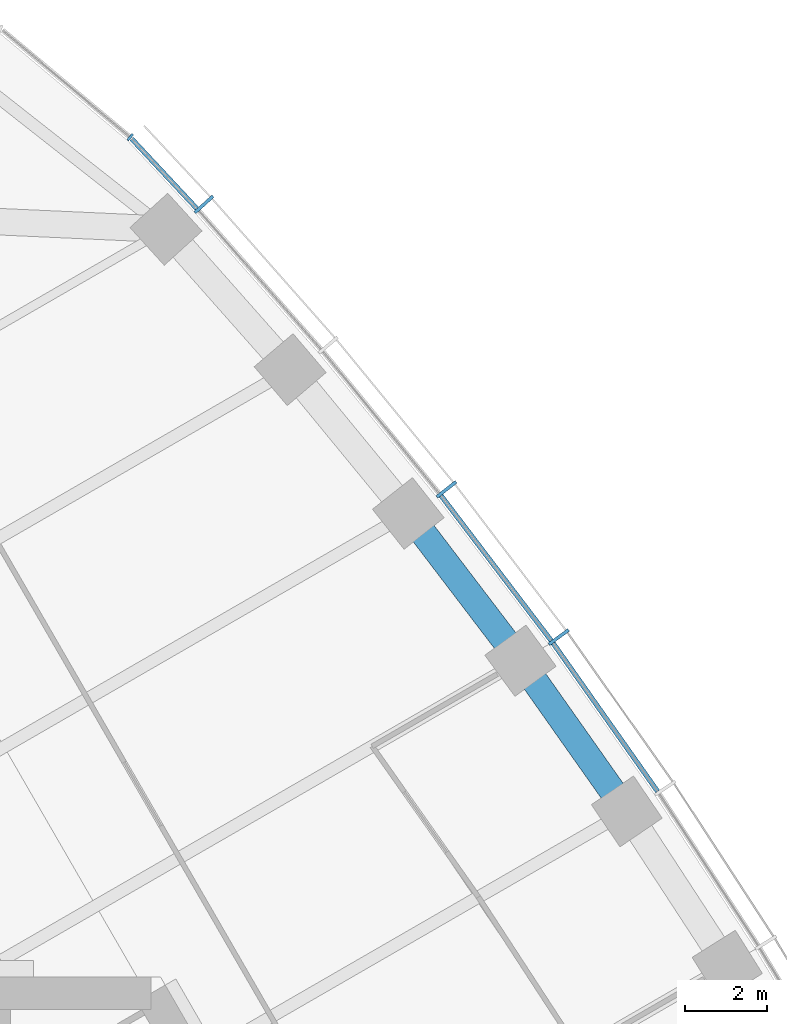
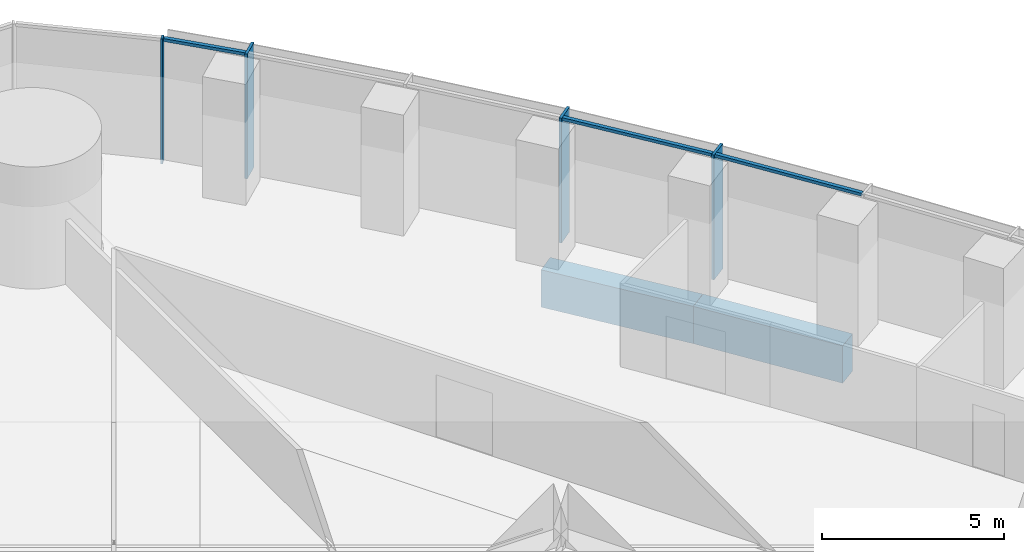
# One storey, part 7 of 21: 7 members, 2 beams, 2 elements without a shape of their own.
"""IFC4 building model written with IfcOpenShell, lengths in metres."""

import ifcopenshell
import ifcopenshell.guid

model = None  # the IFC model being written
_history = None  # IfcOwnerHistory: only IFC2X3 demands one
_inside = {}  # id of a spatial element -> (the spatial element, [elements in it])
_under = {}  # id of a project, library or spatial element -> (it, [spatial elements below it])
_declared = {}  # id of a project -> (the project, [libraries it declares])
_typed = {}  # id of a type object -> (the type object, [elements of that type])
_made_of = {}  # id of a material, layer set ... -> (it, [elements and type objects made of it])


def new_model(schema):
    """Start an empty IFC model of exactly this schema.

    Asked for "IFC4X3", IfcOpenShell would pick the latest addendum, in which some entities
    have other attributes; the version numbers below select the first issue.
    IFC2X3 requires an IfcOwnerHistory on every rooted entity: one is made here for all.
    """
    global model, _history
    if schema == "IFC4X3":
        model = ifcopenshell.file(schema_version=(4, 3, 0, 0))
    else:
        model = ifcopenshell.file(schema=schema)
    _inside.clear()
    _under.clear()
    _declared.clear()
    _typed.clear()
    _made_of.clear()
    _history = None
    if model.schema == "IFC2X3":
        org = make("IfcOrganization", Name="unknown")
        user = make(
            "IfcPersonAndOrganization",
            ThePerson=make("IfcPerson", FamilyName="unknown"),
            TheOrganization=org,
        )
        app = make(
            "IfcApplication",
            ApplicationDeveloper=org,
            Version="unknown",
            ApplicationFullName="unknown",
            ApplicationIdentifier="unknown",
        )
        _history = make(
            "IfcOwnerHistory",
            OwningUser=user,
            OwningApplication=app,
            ChangeAction="ADDED",
            CreationDate=0,
        )
    return model


def make(cls, **values):
    """One entity of the class cls with the attributes given. An attribute that is None is left unset."""
    return model.create_entity(
        cls, **{name: value for name, value in values.items() if value is not None}
    )


def rooted(cls, **values):
    """An entity with a GlobalId (a new one), such as an element, a storey or a relation."""
    return make(cls, GlobalId=ifcopenshell.guid.new(), OwnerHistory=_history, **values)


def si_unit(unit_type, name, prefix=None):
    """IfcSIUnit, for example si_unit("LENGTHUNIT", "METRE", prefix="MILLI")."""
    return make("IfcSIUnit", UnitType=unit_type, Prefix=prefix, Name=name)


def assignment(units):
    """IfcUnitAssignment: the units of a project."""
    return None if units is None else make("IfcUnitAssignment", Units=units)


def point(xyz):
    """IfcCartesianPoint."""
    return None if xyz is None else make("IfcCartesianPoint", Coordinates=xyz)


def direction(xyz):
    """IfcDirection."""
    return None if xyz is None else make("IfcDirection", DirectionRatios=xyz)


def frame(location, z_axis=None, x_axis=None):
    """IfcAxis2Placement3D, a coordinate frame: its origin and axes. An axis left out is left unset."""
    return make(
        "IfcAxis2Placement3D",
        Location=point(location),
        Axis=direction(z_axis),
        RefDirection=direction(x_axis),
    )


def frame_2d(location, x_axis=None):
    """IfcAxis2Placement2D, a coordinate frame in the plane: its origin and x axis."""
    return make(
        "IfcAxis2Placement2D", Location=point(location), RefDirection=direction(x_axis)
    )


def origin():
    """The frame at (0, 0, 0) with its axes left unset."""
    return frame((0.0, 0.0, 0.0))


def origin_2d():
    """The frame at (0, 0) in the plane with its x axis left unset."""
    return frame_2d((0.0, 0.0))


def place(relative_to, where):
    """IfcLocalPlacement: puts the frame where relative to a parent placement (None: the world)."""
    return make(
        "IfcLocalPlacement", PlacementRelTo=relative_to, RelativePlacement=where
    )


def context(
    kind, dimensions, precision=None, world=None, true_north=None, identifier=None
):
    """IfcGeometricRepresentationContext, for example the 3D "Model" context."""
    return make(
        "IfcGeometricRepresentationContext",
        ContextIdentifier=identifier,
        ContextType=kind,
        CoordinateSpaceDimension=dimensions,
        Precision=precision,
        WorldCoordinateSystem=world,
        TrueNorth=true_north,
    )


def subcontext(parent, identifier, kind, view, scale=None):
    """IfcGeometricRepresentationSubContext, for example "Body" below "Model"."""
    return make(
        "IfcGeometricRepresentationSubContext",
        ContextIdentifier=identifier,
        ContextType=kind,
        ParentContext=parent,
        TargetScale=scale,
        TargetView=view,
    )


def project(units=None, contexts=None):
    """IfcProject with its units and contexts."""
    return rooted(
        "IfcProject",
        Name="project",
        RepresentationContexts=contexts,
        UnitsInContext=assignment(units),
    )


def spatial(cls, under=None, at=None, **own):
    """A site, building, storey or space (cls), placed at a placement, below another one or the project."""
    s = rooted(cls, ObjectPlacement=at, **own)
    if under is not None:
        _under.setdefault(under.id(), (under, []))[1].append(s)
    return s


def profile(cls, at=None, kind="AREA", **sizes):
    """A parametric profile (cls). Its sizes go by their IFC names, for example OverallWidth=200.0."""
    return make(cls, ProfileType=kind, Position=at, **sizes)


def rectangle(**sizes):
    """IfcRectangleProfileDef."""
    return profile("IfcRectangleProfileDef", **sizes)


def extrude(swept, where, along, depth):
    """IfcExtrudedAreaSolid: the profile swept, set in the frame where, extruded along a direction by depth."""
    return make(
        "IfcExtrudedAreaSolid",
        SweptArea=swept,
        Position=where,
        ExtrudedDirection=direction(along),
        Depth=depth,
    )


def shape(context_of_items, identifier, shape_type, items):
    """IfcShapeRepresentation: the items that make up one representation, for example the "Body"."""
    return make(
        "IfcShapeRepresentation",
        ContextOfItems=context_of_items,
        RepresentationIdentifier=identifier,
        RepresentationType=shape_type,
        Items=items,
    )


def material(Name=None, Category=None):
    """IfcMaterial."""
    return make("IfcMaterial", Name=Name, Category=Category)


def material_profile(
    of_material, cross_section, Name=None, Category=None, Priority=None
):
    """IfcMaterialProfile: a cross section and its material."""
    return make(
        "IfcMaterialProfile",
        Name=Name,
        Material=of_material,
        Profile=cross_section,
        Priority=Priority,
        Category=Category,
    )


def profile_set(profiles, Name=None, composite=None):
    """IfcMaterialProfileSet."""
    return make(
        "IfcMaterialProfileSet",
        Name=Name,
        MaterialProfiles=profiles,
        CompositeProfile=composite,
    )


def made_of(thing, what):
    """Note that an element or type object is made of a material, layer set ...; save() writes the relation."""
    if what is not None:
        _made_of.setdefault(what.id(), (what, []))[1].append(thing)
    return thing


def type_object(cls, material=None, **own):
    """A type object (cls), such as IfcWallType, which elements share."""
    return made_of(rooted(cls, **own), material)


def element(
    cls,
    number,
    at=None,
    inside=None,
    cuts=None,
    type_object=None,
    material=None,
    context=None,
    identifier="Body",
    shape_type=None,
    held_by="IfcProductDefinitionShape",
    body=None,
    shapes=None,
    **own,
):
    """One element of the class cls, such as IfcWall. Its Tag is "e" and its number.

    at: its placement. inside: the storey or other place that contains it. cuts: it is an
    opening in that element (IfcRelVoidsElement). A single representation is given by context,
    identifier, shape_type and body (its items); several are given by shapes. held_by: the class
    of the entity that holds the representations. save() writes the other relations.
    """
    e = rooted(cls, Tag="e%d" % number, ObjectPlacement=at, **own)
    if body is not None:
        shapes = [shape(context, identifier, shape_type, body)]
    if shapes is not None:
        e.Representation = make(held_by, Representations=shapes)
    if inside is not None:
        _inside.setdefault(inside.id(), (inside, []))[1].append(e)
    if cuts is not None:
        rooted(
            "IfcRelVoidsElement", RelatingBuildingElement=cuts, RelatedOpeningElement=e
        )
    if type_object is not None:
        _typed.setdefault(type_object.id(), (type_object, []))[1].append(e)
    return made_of(e, material)


def aggregate(whole, parts):
    """IfcRelAggregates: a whole, such as a stair, and the parts it consists of."""
    return rooted("IfcRelAggregates", RelatingObject=whole, RelatedObjects=parts)


def save(model, path):
    """Write the relations noted so far, then the file.

    IfcRelAggregates (storeys below a building ...), IfcRelContainedInSpatialStructure (elements
    in a storey), IfcRelDefinesByType, IfcRelAssociatesMaterial and IfcRelDeclares: one each for
    every whole, place, type object, material and project.
    """
    for whole, parts in _under.values():
        aggregate(whole, parts)
    for where, things in _inside.values():
        rooted(
            "IfcRelContainedInSpatialStructure",
            RelatedElements=things,
            RelatingStructure=where,
        )
    for kind, things in _typed.values():
        rooted("IfcRelDefinesByType", RelatedObjects=things, RelatingType=kind)
    for what, things in _made_of.values():
        rooted("IfcRelAssociatesMaterial", RelatedObjects=things, RelatingMaterial=what)
    for by, libraries in _declared.values():
        rooted("IfcRelDeclares", RelatingContext=by, RelatedDefinitions=libraries)
    model.write(path)


model = new_model("IFC4")

# Units and contexts
model_context = context("Model", 3, precision=1e-05, world=origin(), true_north=direction((0.0, 1.0)))
body_context = subcontext(model_context, "Body", "Model", "MODEL_VIEW")
ifc_project = project(units=[si_unit("LENGTHUNIT", "METRE"), si_unit("AREAUNIT", "SQUARE_METRE"), si_unit("VOLUMEUNIT", "CUBIC_METRE"), si_unit("PLANEANGLEUNIT", "RADIAN"), si_unit("MASSUNIT", "GRAM", prefix="KILO")], contexts=[model_context])

# Site, building, storey
site_placement = place(None, origin())
site = spatial("IfcSite", under=ifc_project, at=site_placement, CompositionType="ELEMENT")
building_placement = place(site_placement, origin())
building = spatial("IfcBuilding", under=site, at=building_placement, Name="Trefoil Bronze Tower", CompositionType="ELEMENT")
storey_placement = place(building_placement, frame((0.0, 0.0, 145.10009765625)))
storey = spatial("IfcBuildingStorey", under=building, at=storey_placement, Name="L33", CompositionType="ELEMENT", Elevation=145.10009765625)

# Curtain wall, members
ifc_material_1 = material(Name="Tinted solar-control glass", Category="glass")
curtain_wall_type_1 = type_object("IfcCurtainWallType", Name="Bronze office curtain wall", PredefinedType="USERDEFINED", material=ifc_material_1)
curtain_wall_1_placement = place(storey_placement, origin())
curtain_wall_1 = element("IfcCurtainWall", 1, at=curtain_wall_1_placement, inside=storey, type_object=curtain_wall_type_1, Name="CW-A L33 F2", ObjectType="CURTAIN WALL", PredefinedType="USERDEFINED")
ifc_material_2 = material(Name="Bronze-finish aluminium", Category="aluminium")
ifc_material_profile_1 = material_profile(ifc_material_2, rectangle(XDim=0.60009765625, YDim=0.080078125, at=origin_2d()), Name="CW-A mullion")
ifc_profile_set_1 = profile_set([ifc_material_profile_1], Name="Bronze-finish aluminium")
member_type_1 = type_object("IfcMemberType", Name="Bronze office curtain wall mullion", PredefinedType="MULLION", material=ifc_profile_set_1)
member_1_placement = place(storey_placement, frame((15.764404296875, 24.7275390625, 0.0), z_axis=(0.0, 0.0, 1.0), x_axis=(-0.806874522901, -0.590722865897, 0.0)))
member_1 = element("IfcMember", 2, at=member_1_placement, type_object=member_type_1, Name="CW-A L33 F2 mullion 11", PredefinedType="MULLION", context=body_context, shape_type="SweptSolid", body=[
    extrude(rectangle(XDim=0.60009765625, YDim=0.080078125, at=origin_2d()), origin(), (0.0, 0.0, 1.0), 4.179931640625),
])
member_2_placement = place(storey_placement, frame((13.01220703125, 28.34716796875, 0.0), z_axis=(0.0, 0.0, 1.0), x_axis=(-0.78487913905, -0.619648882098, 0.0)))
member_2 = element("IfcMember", 3, at=member_2_placement, type_object=member_type_1, Name="CW-A L33 F2 mullion 12", PredefinedType="MULLION", context=body_context, shape_type="SweptSolid", body=[
    extrude(rectangle(XDim=0.60009765625, YDim=0.080078125, at=origin_2d()), origin(), (0.0, 0.0, 1.0), 4.179931640625),
])
member_3_placement = place(storey_placement, frame((7.070068359375, 35.332275390625, 0.0), z_axis=(0.0, 0.0, 1.0), x_axis=(-0.740360700327, -0.672209813534, 0.0)))
member_3 = element("IfcMember", 4, at=member_3_placement, type_object=member_type_1, Name="CW-A L33 F2 mullion 14", PredefinedType="MULLION", context=body_context, shape_type="SweptSolid", body=[
    extrude(rectangle(XDim=0.60009765625, YDim=0.080078125, at=origin_2d()), origin(), (0.0, 0.0, 1.0), 4.179931640625),
])
ifc_material_3 = material(Name="Bronze-finish aluminium", Category="aluminium")
ifc_material_profile_2 = material_profile(ifc_material_3, rectangle(XDim=0.1201171875, YDim=0.10009765625, at=origin_2d()), Name="CW-A transom")
ifc_profile_set_2 = profile_set([ifc_material_profile_2], Name="Bronze-finish aluminium")
member_type_2 = type_object("IfcMemberType", Name="Bronze office curtain wall transom", PredefinedType="USERDEFINED", material=ifc_profile_set_2)
member_4_placement = place(storey_placement, frame((18.18359375, 20.947021484375, 4.1298828125), z_axis=(-0.576017858824, 0.817437108478, 0.0), x_axis=(-0.817437108478, -0.576017858824, 0.0)))
member_4 = element("IfcMember", 5, at=member_4_placement, type_object=member_type_2, Name="CW-A L33 F2 transom 10", ObjectType="TRANSOM", PredefinedType="USERDEFINED", context=body_context, shape_type="SweptSolid", body=[
    extrude(rectangle(XDim=0.1201171875, YDim=0.10009765625, at=origin_2d()), origin(), (0.0, 0.0, 1.0), 4.4384765625),
])
member_5_placement = place(storey_placement, frame((15.57763671875, 24.642578125, 4.1298828125), z_axis=(-0.605229114572, 0.796051329296, 0.0), x_axis=(-0.796051329296, -0.605229114572, 0.0)))
member_5 = element("IfcMember", 6, at=member_5_placement, type_object=member_type_2, Name="CW-A L33 F2 transom 11", ObjectType="TRANSOM", PredefinedType="USERDEFINED", context=body_context, shape_type="SweptSolid", body=[
    extrude(rectangle(XDim=0.1201171875, YDim=0.10009765625, at=origin_2d()), origin(), (0.0, 0.0, 1.0), 4.456298828125),
])
member_6_placement = place(storey_placement, frame((6.893798828125, 35.22802734375, 4.1298828125), z_axis=(-0.682489214428, 0.730895664366, 0.0), x_axis=(-0.730895664366, -0.682489214428, 0.0)))
member_6 = element("IfcMember", 7, at=member_6_placement, type_object=member_type_2, Name="CW-A L33 F2 transom 14", ObjectType="TRANSOM", PredefinedType="USERDEFINED", context=body_context, shape_type="SweptSolid", body=[
    extrude(rectangle(XDim=0.1201171875, YDim=0.10009765625, at=origin_2d()), origin(), (0.0, 0.0, 1.0), 2.340087890625),
])
aggregate(curtain_wall_1, [member_1, member_2, member_3, member_4, member_5, member_6])

# Curtain wall, member
ifc_material_4 = material(Name="Tinted solar-control glass", Category="glass")
curtain_wall_type_2 = type_object("IfcCurtainWallType", Name="Bronze rounded corner curtain wall", PredefinedType="USERDEFINED", material=ifc_material_4)
curtain_wall_2_placement = place(storey_placement, origin())
curtain_wall_2 = element("IfcCurtainWall", 8, at=curtain_wall_2_placement, inside=storey, type_object=curtain_wall_type_2, Name="CW-B L33 K2", ObjectType="CURTAIN WALL", PredefinedType="USERDEFINED")
ifc_material_5 = material(Name="Bronze-finish aluminium", Category="aluminium")
ifc_material_profile_3 = material_profile(ifc_material_5, rectangle(XDim=0.199951171875, YDim=0.06005859375, at=origin_2d()), Name="CW-B mullion")
ifc_profile_set_3 = profile_set([ifc_material_profile_3], Name="Bronze-finish aluminium")
member_type_3 = type_object("IfcMemberType", Name="Bronze rounded corner curtain wall mullion", PredefinedType="MULLION", material=ifc_profile_set_3)
member_7_placement = place(storey_placement, frame((5.260498046875, 36.975830078125, 0.0), z_axis=(0.0, 0.0, 1.0), x_axis=(-0.642787609687, -0.766044443119, 0.0)))
member_7 = element("IfcMember", 9, at=member_7_placement, type_object=member_type_3, Name="CW-B L33 K2 mullion 1", PredefinedType="MULLION", context=body_context, shape_type="SweptSolid", body=[
    extrude(rectangle(XDim=0.199951171875, YDim=0.06005859375, at=origin_2d()), origin(), (0.0, 0.0, 1.0), 4.179931640625),
])
aggregate(curtain_wall_2, [member_7])

# Beams
ifc_material_6 = material(Name="Concrete B80", Category="concrete")
ifc_material_profile_4 = material_profile(ifc_material_6, rectangle(XDim=0.64990234375, YDim=1.25, at=origin_2d()), Name="RC 650x1250")
ifc_profile_set_4 = profile_set([ifc_material_profile_4], Name="Concrete B80")
beam_type = type_object("IfcBeamType", Name="Spandrel beam RC 650x1250", PredefinedType="SPANDREL", material=ifc_profile_set_4)
beam_1_placement = place(storey_placement, frame((17.43017578125, 20.45556640625, -0.8251953125), z_axis=(-0.576439228712, 0.81714002203, 0.0), x_axis=(-0.81714002203, -0.576439228712, 0.0)))
element("IfcBeam", 10, at=beam_1_placement, inside=storey, type_object=beam_type, Name="Spandrel F2.10 L33", PredefinedType="SPANDREL", context=body_context, shape_type="SweptSolid", body=[
    extrude(rectangle(XDim=0.64990234375, YDim=1.25, at=origin_2d()), origin(), (0.0, 0.0, 1.0), 4.5185546875),
])
beam_2_placement = place(storey_placement, frame((14.825439453125, 24.14794921875, -0.8251953125), z_axis=(-0.605898901788, 0.795541652468, 0.0), x_axis=(-0.795541652468, -0.605898901788, 0.0)))
element("IfcBeam", 11, at=beam_2_placement, inside=storey, type_object=beam_type, Name="Spandrel F2.11 L33", PredefinedType="SPANDREL", context=body_context, shape_type="SweptSolid", body=[
    extrude(rectangle(XDim=0.64990234375, YDim=1.25, at=origin_2d()), origin(), (0.0, 0.0, 1.0), 4.53662109375),
])

save(model, "model.ifc")
